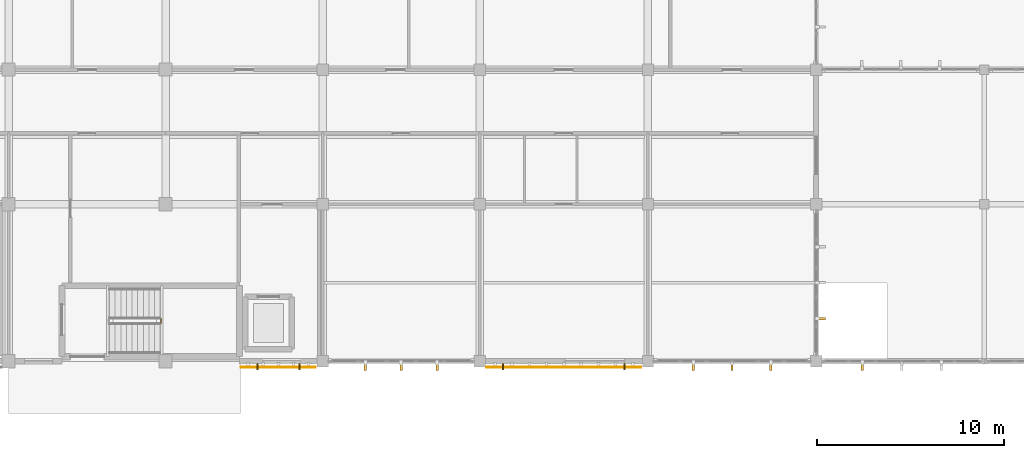
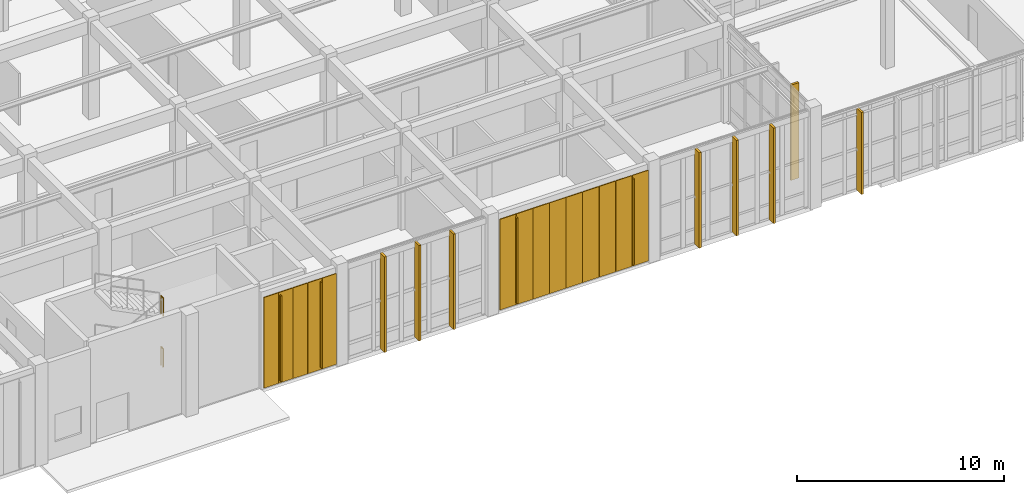
# One storey, part 97 of 110: 22 coverings, 4 shading devices, 2 railings.
"""IFC4 building model written with IfcOpenShell, lengths in metres."""

from ifc_helpers import new_model, si_unit, direction, frame, origin, origin_2d, place, context, subcontext, project, spatial, rectangle, circle, extrude, material, layer, layer_set, type_object, element, save


model = new_model("IFC4")

# Units and contexts
model_context = context("Model", 3, precision=1e-05, world=origin(), true_north=direction((0.0, 1.0)))
body_context = subcontext(model_context, "Body", "Model", "MODEL_VIEW")
ifc_project = project(units=[si_unit("LENGTHUNIT", "METRE"), si_unit("AREAUNIT", "SQUARE_METRE"), si_unit("VOLUMEUNIT", "CUBIC_METRE"), si_unit("PLANEANGLEUNIT", "RADIAN"), si_unit("MASSUNIT", "GRAM", prefix="KILO")], contexts=[model_context])

# Site, building, storey
site_placement = place(None, origin())
site = spatial("IfcSite", under=ifc_project, at=site_placement, CompositionType="ELEMENT")
building_placement = place(site_placement, origin())
building = spatial("IfcBuilding", under=site, at=building_placement, Name="Tizgana Railside Sports Hall", CompositionType="ELEMENT")
storey_placement = place(building_placement, origin())
storey = spatial("IfcBuildingStorey", under=building, at=storey_placement, Name="L00", CompositionType="ELEMENT", Elevation=0.0)

# Shading devices
ifc_material_1 = material(Name="Glulam GL28h", Category="wood")
shading_device_type = type_object("IfcShadingDeviceType", Name="Glulam Vertical Brise-Soleil Fin 320", PredefinedType="JALOUSIE", material=ifc_material_1)
for number, where, z_axis, x_axis, name in (
    (1, (70.14990234375, -0.2939453125, 0.35009765625), (0.0, 0.0, 1.0), (-1.0, 0.0, 0.0), "L00 Glulam Fin FIN-0023"),
    (2, (67.89990234375, -0.2939453125, 0.35009765625), (0.0, 0.0, 1.0), (-1.0, 0.0, 0.0), "L00 Glulam Fin FIN-0024"),
    (3, (87.550048828125, -0.2939453125, 0.35009765625), (0.0, 0.0, 1.0), (-1.0, 0.0, 0.0), "L00 Glulam Fin FIN-0025"),
    (4, (81.050048828125, -0.2939453125, 0.35009765625), (0.0, 0.0, 1.0), (-1.0, 0.0, 0.0), "L00 Glulam Fin FIN-0026"),
):
    element("IfcShadingDevice", number, at=place(storey_placement, frame(where, z_axis=z_axis, x_axis=x_axis)), inside=storey, type_object=shading_device_type, Name=name, PredefinedType="JALOUSIE", context=body_context, shape_type="SweptSolid", body=[
        extrude(rectangle(XDim=0.080078125, YDim=0.320068359375, at=origin_2d()), origin(), (0.0, 0.0, 1.0), 5.050048828125),
    ])

# Coverings
ifc_layer_1 = layer(ifc_material_1, 0.139892578125, Name="Glulam GL28h")
ifc_layer_set_1 = layer_set([ifc_layer_1], Name="Glulam GL28h")
covering_type_1 = type_object("IfcCoveringType", Name="Mass-Timber Brise-Soleil & Pergola Fin", PredefinedType="CLADDING", material=ifc_layer_set_1)
for number, where, z_axis, x_axis, name in (
    (5, (77.5224609375, -0.280029296875, 0.0849609375), (0.0, 0.0, 1.0), (-1.0, 0.0, 0.0), "L00 Timber Brise-Soleil Fin"),
    (6, (75.60009765625, -0.280029296875, 0.0849609375), (0.0, 0.0, 1.0), (-1.0, 0.0, 0.0), "L00 Timber Brise-Soleil Fin"),
    (7, (73.677490234375, -0.280029296875, 0.0849609375), (0.0, 0.0, 1.0), (-1.0, 0.0, 0.0), "L00 Timber Brise-Soleil Fin"),
    (8, (95.37255859375, -0.280029296875, 0.0849609375), (0.0, 0.0, 1.0), (-1.0, 0.0, 0.0), "L00 Timber Brise-Soleil Fin"),
    (9, (93.300048828125, -0.280029296875, 0.0849609375), (0.0, 0.0, 1.0), (-1.0, 0.0, 0.0), "L00 Timber Brise-Soleil Fin"),
    (10, (91.2275390625, -0.280029296875, 0.0849609375), (0.0, 0.0, 1.0), (-1.0, 0.0, 0.0), "L00 Timber Brise-Soleil Fin"),
    (11, (98.080078125, 2.277587890625, 0.0849609375), (0.0, 0.0, 1.0), (0.0, -1.0, 0.0), "L00 Timber Brise-Soleil Fin"),
):
    element("IfcCovering", number, at=place(storey_placement, frame(where, z_axis=z_axis, x_axis=x_axis)), inside=storey, type_object=covering_type_1, Name=name, PredefinedType="CLADDING", context=body_context, shape_type="SweptSolid", body=[
        extrude(rectangle(XDim=0.1201171875, YDim=0.43994140625, at=origin_2d()), origin(), (0.0, 0.0, 1.0), 5.625),
    ])
covering_placement = place(storey_placement, frame((100.267578125, -0.280029296875, 0.0849609375), z_axis=(0.0, 0.0, 1.0), x_axis=(-1.0, 0.0, 0.0)))
element("IfcCovering", 12, at=covering_placement, inside=storey, type_object=covering_type_1, Name="L00 Timber Brise-Soleil Fin", PredefinedType="CLADDING", context=body_context, shape_type="SweptSolid", body=[
    extrude(rectangle(XDim=0.1201171875, YDim=0.43994140625, at=origin_2d()), origin(), (0.0, 0.0, 1.0), 4.8349609375),
])
ifc_material_2 = material(Name="Anodised perforated aluminium screen", Category="aluminium")
ifc_layer_2 = layer(ifc_material_2, 0.044921875, Name="Anodised perforated aluminium screen")
ifc_layer_set_2 = layer_set([ifc_layer_2], Name="Anodised perforated aluminium screen")
covering_type_2 = type_object("IfcCoveringType", Name="Perforated Aluminium Hall Screen 900", PredefinedType="CLADDING", material=ifc_layer_set_2)
for number, where, z_axis, x_axis, name in (
    (13, (70.64501953125, -0.31494140625, 0.199951171875), (0.0, 0.0, 1.0), (-1.0, 0.0, 0.0), "L00 Perforated Screen SCR-0511"),
    (14, (69.8349609375, -0.31494140625, 0.199951171875), (0.0, 0.0, 1.0), (-1.0, 0.0, 0.0), "L00 Perforated Screen SCR-0512"),
    (15, (69.02490234375, -0.31494140625, 0.199951171875), (0.0, 0.0, 1.0), (-1.0, 0.0, 0.0), "L00 Perforated Screen SCR-0513"),
    (16, (68.215087890625, -0.31494140625, 0.199951171875), (0.0, 0.0, 1.0), (-1.0, 0.0, 0.0), "L00 Perforated Screen SCR-0514"),
    (17, (67.405029296875, -0.31494140625, 0.199951171875), (0.0, 0.0, 1.0), (-1.0, 0.0, 0.0), "L00 Perforated Screen SCR-0515"),
):
    element("IfcCovering", number, at=place(storey_placement, frame(where, z_axis=z_axis, x_axis=x_axis)), inside=storey, type_object=covering_type_2, Name=name, PredefinedType="CLADDING", context=body_context, shape_type="SweptSolid", body=[
        extrude(rectangle(XDim=0.7919921875, YDim=0.044921875, at=origin_2d()), origin(), (0.0, 0.0, 1.0), 5.35009765625),
    ])
for number, where, z_axis, x_axis, name in (
    (18, (87.989013671875, -0.31494140625, 0.199951171875), (0.0, 0.0, 1.0), (-1.0, 0.0, 0.0), "L00 Perforated Screen SCR-0516"),
    (19, (87.066650390625, -0.31494140625, 0.199951171875), (0.0, 0.0, 1.0), (-1.0, 0.0, 0.0), "L00 Perforated Screen SCR-0517"),
    (20, (86.144287109375, -0.31494140625, 0.199951171875), (0.0, 0.0, 1.0), (-1.0, 0.0, 0.0), "L00 Perforated Screen SCR-0518"),
    (21, (85.22216796875, -0.31494140625, 0.199951171875), (0.0, 0.0, 1.0), (-1.0, 0.0, 0.0), "L00 Perforated Screen SCR-0519"),
    (22, (84.300048828125, -0.31494140625, 0.199951171875), (0.0, 0.0, 1.0), (-1.0, 0.0, 0.0), "L00 Perforated Screen SCR-0520"),
    (23, (83.377685546875, -0.31494140625, 0.199951171875), (0.0, 0.0, 1.0), (-1.0, 0.0, 0.0), "L00 Perforated Screen SCR-0521"),
    (24, (82.45556640625, -0.31494140625, 0.199951171875), (0.0, 0.0, 1.0), (-1.0, 0.0, 0.0), "L00 Perforated Screen SCR-0522"),
    (25, (81.533203125, -0.31494140625, 0.199951171875), (0.0, 0.0, 1.0), (-1.0, 0.0, 0.0), "L00 Perforated Screen SCR-0523"),
    (26, (80.611083984375, -0.31494140625, 0.199951171875), (0.0, 0.0, 1.0), (-1.0, 0.0, 0.0), "L00 Perforated Screen SCR-0524"),
):
    element("IfcCovering", number, at=place(storey_placement, frame(where, z_axis=z_axis, x_axis=x_axis)), inside=storey, type_object=covering_type_2, Name=name, PredefinedType="CLADDING", context=body_context, shape_type="SweptSolid", body=[
        extrude(rectangle(XDim=0.904296875, YDim=0.044921875, at=origin_2d()), origin(), (0.0, 0.0, 1.0), 5.35009765625),
    ])

# Railings
ifc_material_3 = material(Name="Galvanised steel sheet", Category="steel")
railing_type = type_object("IfcRailingType", Name="Safety Balustrade Guard 1100", PredefinedType="BALUSTRADE", material=ifc_material_3)
for number, where, name in (
    (27, (62.75, 2.050048828125, 1.5), "L00 ST-03 stair guard 2"),
    (28, (62.75, 2.050048828125, 4.5), "L00 ST-03 stair guard 6"),
):
    element("IfcRailing", number, at=place(storey_placement, frame(where)), inside=storey, type_object=railing_type, Name=name, PredefinedType="BALUSTRADE", context=body_context, shape_type="SweptSolid", body=[
        extrude(circle(Radius=0.02392578125, at=origin_2d()), frame((0.0, 0.0, 1.076171875), z_axis=(0.0, 1.0, 0.0), x_axis=(-1.0, 0.0, 0.0)), (0.0, 0.0, 1.0), 0.199951171875),
        extrude(circle(Radius=0.02099609375, at=origin_2d()), origin(), (0.0, 0.0, 1.0), 1.052001953125),
        extrude(circle(Radius=0.02099609375, at=origin_2d()), frame((0.0, 0.199951171875, 0.0)), (0.0, 0.0, 1.0), 1.052001953125),
    ])

save(model, "model.ifc")
